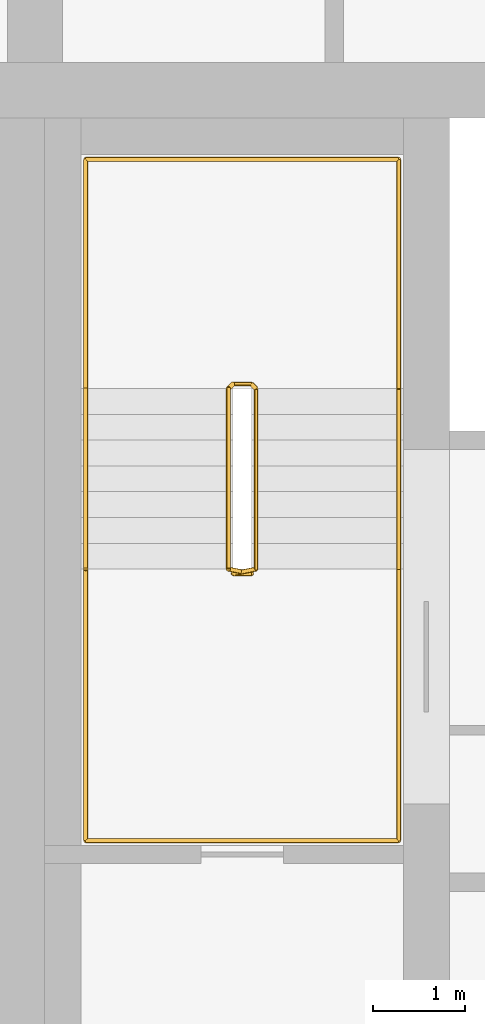
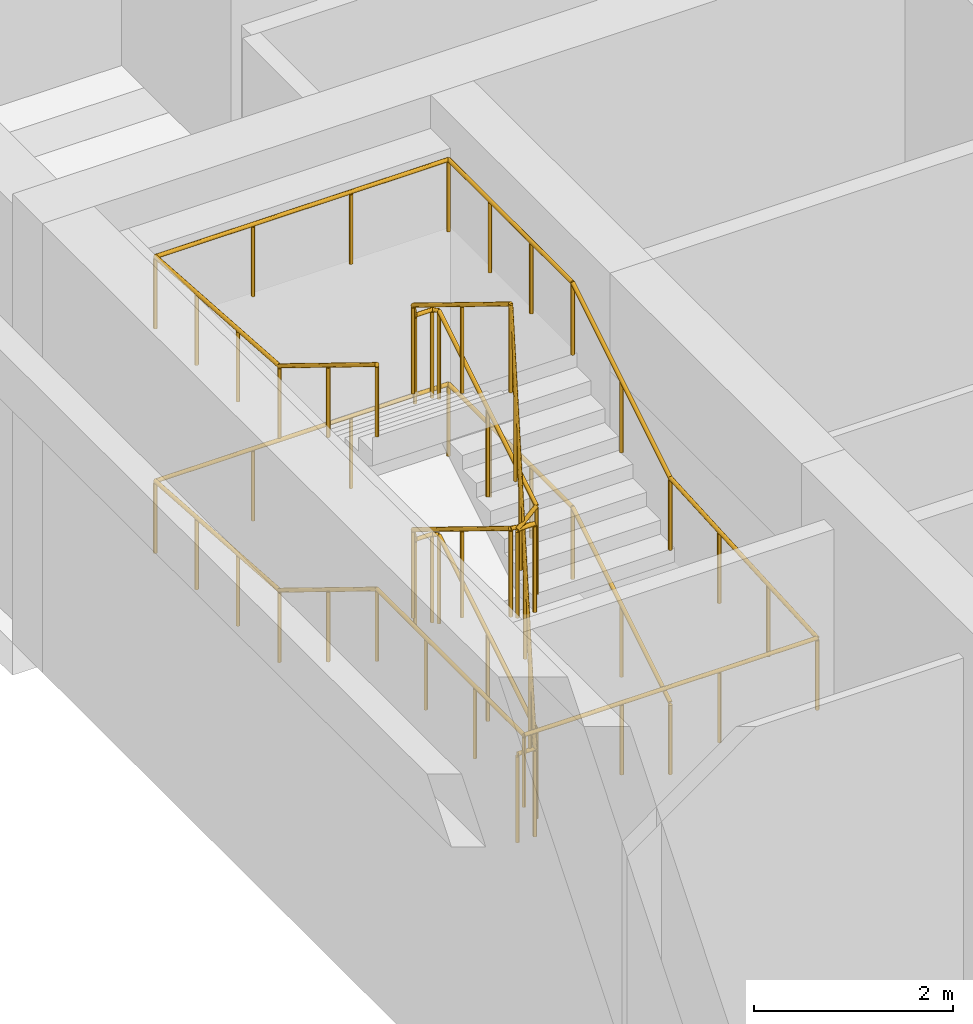
# One storey, part 8 of 8: 2 railings.
"""IFC4 building model written with IfcOpenShell, lengths in metres."""

from ifc_helpers import new_model, si_unit, direction, frame, origin, origin_2d, place, context, subcontext, project, spatial, circle, extrude, material, type_object, element, save


model = new_model("IFC4")

# Units and contexts
model_context = context("Model", 3, precision=1e-05, world=origin(), true_north=direction((0.0, 1.0)))
body_context = subcontext(model_context, "Body", "Model", "MODEL_VIEW")
ifc_project = project(units=[si_unit("LENGTHUNIT", "METRE"), si_unit("AREAUNIT", "SQUARE_METRE"), si_unit("VOLUMEUNIT", "CUBIC_METRE"), si_unit("PLANEANGLEUNIT", "RADIAN"), si_unit("MASSUNIT", "GRAM", prefix="KILO")], contexts=[model_context])

# Site, building, storey
site_placement = place(None, origin())
site = spatial("IfcSite", under=ifc_project, at=site_placement, CompositionType="ELEMENT")
building_placement = place(site_placement, origin())
building = spatial("IfcBuilding", under=site, at=building_placement, Name="Tamorin Gate", CompositionType="ELEMENT")
storey_placement = place(building_placement, frame((0.0, 0.0, 314.699951171875)))
storey = spatial("IfcBuildingStorey", under=building, at=storey_placement, Name="L77", CompositionType="ELEMENT", Elevation=314.699951171875)

# Railings
ifc_material_1 = material(Name="Painted steel balustrade", Category="steel")
railing_type_1 = type_object("IfcRailingType", Name="Stair guard 1100", PredefinedType="GUARDRAIL", material=ifc_material_1)
railing_1_placement = place(storey_placement, frame((32.89990234375, 77.0, 0.171875)))
element("IfcRailing", 1, at=railing_1_placement, inside=storey, type_object=railing_type_1, Name="L77 ST2 stair guard 1", PredefinedType="GUARDRAIL", context=body_context, shape_type="SweptSolid", body=[
    extrude(circle(Radius=0.02392578125, at=origin_2d()), frame((0.0, 0.0, 1.076171875), z_axis=(0.0, 0.852240978134, 0.523149419562), x_axis=(-1.0, 0.0, 0.0)), (0.0, 0.0, 1.0), 2.2998046875),
    extrude(circle(Radius=0.02392578125, at=origin_2d()), frame((0.0, 1.9599609375, 2.279296875), z_axis=(-0.705375805398, 0.708833529934, 0.0), x_axis=(-0.708833529934, -0.705375805398, 0.0)), (0.0, 0.0, 1.0), 0.070556640625),
    extrude(circle(Radius=0.02392578125, at=origin_2d()), frame((-0.0498046875, 2.010009765625, 2.279296875), z_axis=(-1.0, 0.0, 0.0), x_axis=(0.0, -1.0, 0.0)), (0.0, 0.0, 1.0), 0.2001953125),
    extrude(circle(Radius=0.02392578125, at=origin_2d()), frame((-0.25, 2.010009765625, 2.279296875), z_axis=(-0.268036860282, -0.26935076646, 0.924989949209), x_axis=(0.708833529934, -0.705375805398, 0.0)), (0.0, 0.0, 1.0), 0.185791015625),
    extrude(circle(Radius=0.02392578125, at=origin_2d()), frame((-0.2998046875, 1.9599609375, 2.451171875), z_axis=(0.0, -0.852240978134, 0.523149419562), x_axis=(1.0, 0.0, 0.0)), (0.0, 0.0, 1.0), 2.2998046875),
    extrude(circle(Radius=0.02392578125, at=origin_2d()), frame((-0.2998046875, 0.0, 3.654296875), z_axis=(0.98054382908, -0.196300278283, 0.0), x_axis=(0.196300278283, 0.98054382908, 0.0)), (0.0, 0.0, 1.0), 0.2548828125),
    extrude(circle(Radius=0.02392578125, at=origin_2d()), frame((-0.0498046875, -0.050048828125, 3.654296875), z_axis=(-1.0, 0.0, 0.0), x_axis=(0.0, -1.0, 0.0)), (0.0, 0.0, 1.0), 0.2001953125),
    extrude(circle(Radius=0.02392578125, at=origin_2d()), frame((-0.25, -0.050048828125, 3.654296875), z_axis=(0.81305262559, 0.162769324459, 0.558973680093), x_axis=(-0.196300278283, 0.98054382908, 0.0)), (0.0, 0.0, 1.0), 0.307373046875),
    extrude(circle(Radius=0.02392578125, at=origin_2d()), frame((0.0, 0.0, 3.826171875), z_axis=(0.0, 0.852240978134, 0.523149419562), x_axis=(-1.0, 0.0, 0.0)), (0.0, 0.0, 1.0), 2.2998046875),
    extrude(circle(Radius=0.02392578125, at=origin_2d()), frame((0.0, 1.9599609375, 5.029296875), z_axis=(-0.705375805398, 0.708833529934, 0.0), x_axis=(-0.708833529934, -0.705375805398, 0.0)), (0.0, 0.0, 1.0), 0.070556640625),
    extrude(circle(Radius=0.02392578125, at=origin_2d()), frame((-0.0498046875, 2.010009765625, 5.029296875), z_axis=(-1.0, 0.0, 0.0), x_axis=(0.0, -1.0, 0.0)), (0.0, 0.0, 1.0), 0.2001953125),
    extrude(circle(Radius=0.02392578125, at=origin_2d()), frame((-0.25, 2.010009765625, 5.029296875), z_axis=(-0.268036860282, -0.26935076646, 0.924989949209), x_axis=(0.708833529934, -0.705375805398, 0.0)), (0.0, 0.0, 1.0), 0.185791015625),
    extrude(circle(Radius=0.02392578125, at=origin_2d()), frame((-0.2998046875, 1.9599609375, 5.201171875), z_axis=(0.0, -0.852240978134, 0.523149419562), x_axis=(1.0, 0.0, 0.0)), (0.0, 0.0, 1.0), 2.2998046875),
    extrude(circle(Radius=0.02392578125, at=origin_2d()), frame((-0.2998046875, 0.0, 6.404296875), z_axis=(0.045405784895, -0.009090025296, -0.998927267692), x_axis=(0.196300278283, 0.98054382908, 0.0)), (0.0, 0.0, 1.0), 5.505859375),
    extrude(circle(Radius=0.02392578125, at=origin_2d()), frame((-0.0498046875, -0.050048828125, 0.904296875), z_axis=(-1.0, 0.0, 0.0), x_axis=(0.0, -1.0, 0.0)), (0.0, 0.0, 1.0), 0.2001953125),
    extrude(circle(Radius=0.02099609375, at=origin_2d()), origin(), (0.0, 0.0, 1.0), 1.052001953125),
    extrude(circle(Radius=0.02099609375, at=origin_2d()), frame((0.0, 0.97998046875, 0.6015625)), (0.0, 0.0, 1.0), 1.052001953125),
    extrude(circle(Radius=0.02099609375, at=origin_2d()), frame((0.0, 1.9599609375, 1.203125)), (0.0, 0.0, 1.0), 1.052001953125),
    extrude(circle(Radius=0.02099609375, at=origin_2d()), frame((-0.0498046875, 2.010009765625, 1.203125)), (0.0, 0.0, 1.0), 1.052001953125),
    extrude(circle(Radius=0.02099609375, at=origin_2d()), frame((-0.25, 2.010009765625, 1.203125)), (0.0, 0.0, 1.0), 1.052001953125),
    extrude(circle(Radius=0.02099609375, at=origin_2d()), frame((-0.2998046875, 1.9599609375, 1.375)), (0.0, 0.0, 1.0), 1.052001953125),
    extrude(circle(Radius=0.02099609375, at=origin_2d()), frame((-0.2998046875, 0.97998046875, 1.9765625)), (0.0, 0.0, 1.0), 1.052001953125),
    extrude(circle(Radius=0.02099609375, at=origin_2d()), frame((-0.2998046875, 0.0, 2.578125)), (0.0, 0.0, 1.0), 1.052001953125),
    extrude(circle(Radius=0.02099609375, at=origin_2d()), frame((-0.0498046875, -0.050048828125, 2.578125)), (0.0, 0.0, 1.0), 1.052001953125),
    extrude(circle(Radius=0.02099609375, at=origin_2d()), frame((-0.25, -0.050048828125, 2.578125)), (0.0, 0.0, 1.0), 1.052001953125),
    extrude(circle(Radius=0.02099609375, at=origin_2d()), frame((0.0, 0.0, 2.75)), (0.0, 0.0, 1.0), 1.052001953125),
    extrude(circle(Radius=0.02099609375, at=origin_2d()), frame((0.0, 0.97998046875, 3.3515625)), (0.0, 0.0, 1.0), 1.052001953125),
    extrude(circle(Radius=0.02099609375, at=origin_2d()), frame((0.0, 1.9599609375, 3.953125)), (0.0, 0.0, 1.0), 1.052001953125),
    extrude(circle(Radius=0.02099609375, at=origin_2d()), frame((-0.0498046875, 2.010009765625, 3.953125)), (0.0, 0.0, 1.0), 1.052001953125),
    extrude(circle(Radius=0.02099609375, at=origin_2d()), frame((-0.25, 2.010009765625, 3.953125)), (0.0, 0.0, 1.0), 1.052001953125),
    extrude(circle(Radius=0.02099609375, at=origin_2d()), frame((-0.2998046875, 1.9599609375, 4.125)), (0.0, 0.0, 1.0), 1.052001953125),
    extrude(circle(Radius=0.02099609375, at=origin_2d()), frame((-0.2998046875, 0.97998046875, 4.7265625)), (0.0, 0.0, 1.0), 1.052001953125),
    extrude(circle(Radius=0.02099609375, at=origin_2d()), frame((-0.2998046875, 0.0, 5.328125)), (0.0, 0.0, 1.0), 1.052001953125),
    extrude(circle(Radius=0.02099609375, at=origin_2d()), frame((-0.249755859375, -0.010009765625, 4.22802734375)), (0.0, 0.0, 1.0), 1.052001953125),
    extrude(circle(Radius=0.02099609375, at=origin_2d()), frame((-0.19970703125, -0.02001953125, 3.128173828125)), (0.0, 0.0, 1.0), 1.052001953125),
    extrude(circle(Radius=0.02099609375, at=origin_2d()), frame((-0.14990234375, -0.030029296875, 2.028076171875)), (0.0, 0.0, 1.0), 1.052001953125),
    extrude(circle(Radius=0.02099609375, at=origin_2d()), frame((-0.099853515625, -0.0400390625, 0.92822265625)), (0.0, 0.0, 1.0), 1.052001953125),
    extrude(circle(Radius=0.02099609375, at=origin_2d()), frame((-0.0498046875, -0.050048828125, -0.171875)), (0.0, 0.0, 1.0), 1.052001953125),
    extrude(circle(Radius=0.02099609375, at=origin_2d()), frame((-0.25, -0.050048828125, -0.171875)), (0.0, 0.0, 1.0), 1.052001953125),
])
ifc_material_2 = material(Name="Painted steel handrail", Category="steel")
railing_type_2 = type_object("IfcRailingType", Name="Stair handrail 900", PredefinedType="HANDRAIL", material=ifc_material_2)
railing_2_placement = place(storey_placement, frame((34.449951171875, 77.0, 0.171875)))
element("IfcRailing", 2, at=railing_2_placement, inside=storey, type_object=railing_type_2, Name="L77 ST2 stair handrail 1", PredefinedType="HANDRAIL", context=body_context, shape_type="SweptSolid", body=[
    extrude(circle(Radius=0.02392578125, at=origin_2d()), frame((0.0, 0.0, 0.8759765625), z_axis=(0.0, 0.852240978134, 0.523149419562), x_axis=(-1.0, 0.0, 0.0)), (0.0, 0.0, 1.0), 2.2998046875),
    extrude(circle(Radius=0.02392578125, at=origin_2d()), frame((0.0, 1.9599609375, 2.0791015625), z_axis=(0.0, 1.0, 0.0), x_axis=(-1.0, 0.0, 0.0)), (0.0, 0.0, 1.0), 2.489990234375),
    extrude(circle(Radius=0.02392578125, at=origin_2d()), frame((0.0, 4.449951171875, 2.0791015625), z_axis=(-1.0, 0.0, 0.0), x_axis=(0.0, -1.0, 0.0)), (0.0, 0.0, 1.0), 3.39990234375),
    extrude(circle(Radius=0.02392578125, at=origin_2d()), frame((-3.39990234375, 4.449951171875, 2.0791015625), z_axis=(0.0, -0.997626159281, 0.068862517515), x_axis=(1.0, 0.0, 0.0)), (0.0, 0.0, 1.0), 2.495849609375),
    extrude(circle(Radius=0.02392578125, at=origin_2d()), frame((-3.39990234375, 1.9599609375, 2.2509765625), z_axis=(0.0, -0.852240978134, 0.523149419562), x_axis=(1.0, 0.0, 0.0)), (0.0, 0.0, 1.0), 2.2998046875),
    extrude(circle(Radius=0.02392578125, at=origin_2d()), frame((-3.39990234375, 0.0, 3.4541015625), z_axis=(0.0, -1.0, 0.0), x_axis=(1.0, 0.0, 0.0)), (0.0, 0.0, 1.0), 2.949951171875),
    extrude(circle(Radius=0.02392578125, at=origin_2d()), frame((-3.39990234375, -2.949951171875, 3.4541015625), z_axis=(1.0, 0.0, 0.0), x_axis=(0.0, 1.0, 0.0)), (0.0, 0.0, 1.0), 3.39990234375),
    extrude(circle(Radius=0.02392578125, at=origin_2d()), frame((0.0, -2.949951171875, 3.4541015625), z_axis=(0.0, 0.99830698121, 0.058165034741), x_axis=(-1.0, 0.0, 0.0)), (0.0, 0.0, 1.0), 2.954833984375),
    extrude(circle(Radius=0.02392578125, at=origin_2d()), frame((0.0, 0.0, 3.6259765625), z_axis=(0.0, 0.852240978134, 0.523149419562), x_axis=(-1.0, 0.0, 0.0)), (0.0, 0.0, 1.0), 2.2998046875),
    extrude(circle(Radius=0.02392578125, at=origin_2d()), frame((0.0, 1.9599609375, 4.8291015625), z_axis=(0.0, 1.0, 0.0), x_axis=(-1.0, 0.0, 0.0)), (0.0, 0.0, 1.0), 2.489990234375),
    extrude(circle(Radius=0.02392578125, at=origin_2d()), frame((0.0, 4.449951171875, 4.8291015625), z_axis=(-1.0, 0.0, 0.0), x_axis=(0.0, -1.0, 0.0)), (0.0, 0.0, 1.0), 3.39990234375),
    extrude(circle(Radius=0.02392578125, at=origin_2d()), frame((-3.39990234375, 4.449951171875, 4.8291015625), z_axis=(0.0, -0.997626159281, 0.068862517515), x_axis=(1.0, 0.0, 0.0)), (0.0, 0.0, 1.0), 2.495849609375),
    extrude(circle(Radius=0.02392578125, at=origin_2d()), frame((-3.39990234375, 1.9599609375, 5.0009765625), z_axis=(0.0, -0.852240978134, 0.523149419562), x_axis=(1.0, 0.0, 0.0)), (0.0, 0.0, 1.0), 2.2998046875),
    extrude(circle(Radius=0.02099609375, at=origin_2d()), origin(), (0.0, 0.0, 1.0), 0.851806640625),
    extrude(circle(Radius=0.02099609375, at=origin_2d()), frame((0.0, 0.97998046875, 0.6015625)), (0.0, 0.0, 1.0), 0.851806640625),
    extrude(circle(Radius=0.02099609375, at=origin_2d()), frame((0.0, 1.9599609375, 1.203125)), (0.0, 0.0, 1.0), 0.851806640625),
    extrude(circle(Radius=0.02099609375, at=origin_2d()), frame((0.0, 2.7900390625, 1.203125)), (0.0, 0.0, 1.0), 0.851806640625),
    extrude(circle(Radius=0.02099609375, at=origin_2d()), frame((0.0, 3.619873046875, 1.203125)), (0.0, 0.0, 1.0), 0.851806640625),
    extrude(circle(Radius=0.02099609375, at=origin_2d()), frame((0.0, 4.449951171875, 1.203125)), (0.0, 0.0, 1.0), 0.851806640625),
    extrude(circle(Radius=0.02099609375, at=origin_2d()), frame((-1.13330078125, 4.449951171875, 1.203125)), (0.0, 0.0, 1.0), 0.851806640625),
    extrude(circle(Radius=0.02099609375, at=origin_2d()), frame((-2.2666015625, 4.449951171875, 1.203125)), (0.0, 0.0, 1.0), 0.851806640625),
    extrude(circle(Radius=0.02099609375, at=origin_2d()), frame((-3.39990234375, 4.449951171875, 1.203125)), (0.0, 0.0, 1.0), 0.851806640625),
    extrude(circle(Radius=0.02099609375, at=origin_2d()), frame((-3.39990234375, 3.619873046875, 1.260498046875)), (0.0, 0.0, 1.0), 0.851806640625),
    extrude(circle(Radius=0.02099609375, at=origin_2d()), frame((-3.39990234375, 2.7900390625, 1.317626953125)), (0.0, 0.0, 1.0), 0.851806640625),
    extrude(circle(Radius=0.02099609375, at=origin_2d()), frame((-3.39990234375, 1.9599609375, 1.375)), (0.0, 0.0, 1.0), 0.851806640625),
    extrude(circle(Radius=0.02099609375, at=origin_2d()), frame((-3.39990234375, 0.97998046875, 1.9765625)), (0.0, 0.0, 1.0), 0.851806640625),
    extrude(circle(Radius=0.02099609375, at=origin_2d()), frame((-3.39990234375, 0.0, 2.578125)), (0.0, 0.0, 1.0), 0.851806640625),
    extrude(circle(Radius=0.02099609375, at=origin_2d()), frame((-3.39990234375, -0.9833984375, 2.578125)), (0.0, 0.0, 1.0), 0.851806640625),
    extrude(circle(Radius=0.02099609375, at=origin_2d()), frame((-3.39990234375, -1.966552734375, 2.578125)), (0.0, 0.0, 1.0), 0.851806640625),
    extrude(circle(Radius=0.02099609375, at=origin_2d()), frame((-3.39990234375, -2.949951171875, 2.578125)), (0.0, 0.0, 1.0), 0.851806640625),
    extrude(circle(Radius=0.02099609375, at=origin_2d()), frame((-2.2666015625, -2.949951171875, 2.578125)), (0.0, 0.0, 1.0), 0.851806640625),
    extrude(circle(Radius=0.02099609375, at=origin_2d()), frame((-1.13330078125, -2.949951171875, 2.578125)), (0.0, 0.0, 1.0), 0.851806640625),
    extrude(circle(Radius=0.02099609375, at=origin_2d()), frame((0.0, -2.949951171875, 2.578125)), (0.0, 0.0, 1.0), 0.851806640625),
    extrude(circle(Radius=0.02099609375, at=origin_2d()), frame((0.0, -1.966552734375, 2.635498046875)), (0.0, 0.0, 1.0), 0.851806640625),
    extrude(circle(Radius=0.02099609375, at=origin_2d()), frame((0.0, -0.9833984375, 2.692626953125)), (0.0, 0.0, 1.0), 0.851806640625),
    extrude(circle(Radius=0.02099609375, at=origin_2d()), frame((0.0, 0.0, 2.75)), (0.0, 0.0, 1.0), 0.851806640625),
    extrude(circle(Radius=0.02099609375, at=origin_2d()), frame((0.0, 0.97998046875, 3.3515625)), (0.0, 0.0, 1.0), 0.851806640625),
    extrude(circle(Radius=0.02099609375, at=origin_2d()), frame((0.0, 1.9599609375, 3.953125)), (0.0, 0.0, 1.0), 0.851806640625),
    extrude(circle(Radius=0.02099609375, at=origin_2d()), frame((0.0, 2.7900390625, 3.953125)), (0.0, 0.0, 1.0), 0.851806640625),
    extrude(circle(Radius=0.02099609375, at=origin_2d()), frame((0.0, 3.619873046875, 3.953125)), (0.0, 0.0, 1.0), 0.851806640625),
    extrude(circle(Radius=0.02099609375, at=origin_2d()), frame((0.0, 4.449951171875, 3.953125)), (0.0, 0.0, 1.0), 0.851806640625),
    extrude(circle(Radius=0.02099609375, at=origin_2d()), frame((-1.13330078125, 4.449951171875, 3.953125)), (0.0, 0.0, 1.0), 0.851806640625),
    extrude(circle(Radius=0.02099609375, at=origin_2d()), frame((-2.2666015625, 4.449951171875, 3.953125)), (0.0, 0.0, 1.0), 0.851806640625),
    extrude(circle(Radius=0.02099609375, at=origin_2d()), frame((-3.39990234375, 4.449951171875, 3.953125)), (0.0, 0.0, 1.0), 0.851806640625),
    extrude(circle(Radius=0.02099609375, at=origin_2d()), frame((-3.39990234375, 3.619873046875, 4.010498046875)), (0.0, 0.0, 1.0), 0.851806640625),
    extrude(circle(Radius=0.02099609375, at=origin_2d()), frame((-3.39990234375, 2.7900390625, 4.067626953125)), (0.0, 0.0, 1.0), 0.851806640625),
    extrude(circle(Radius=0.02099609375, at=origin_2d()), frame((-3.39990234375, 1.9599609375, 4.125)), (0.0, 0.0, 1.0), 0.851806640625),
    extrude(circle(Radius=0.02099609375, at=origin_2d()), frame((-3.39990234375, 0.97998046875, 4.7265625)), (0.0, 0.0, 1.0), 0.851806640625),
    extrude(circle(Radius=0.02099609375, at=origin_2d()), frame((-3.39990234375, 0.0, 5.328125)), (0.0, 0.0, 1.0), 0.851806640625),
])

save(model, "model.ifc")
